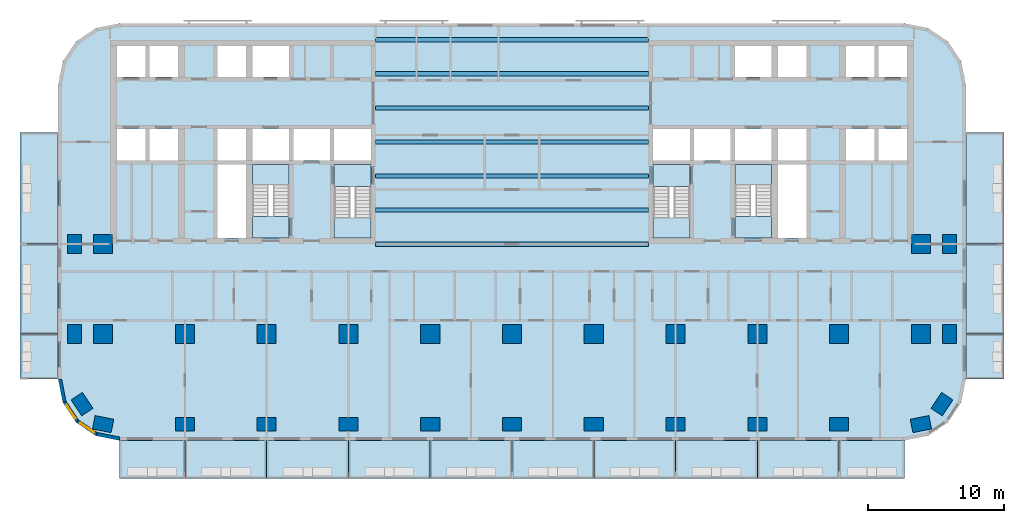
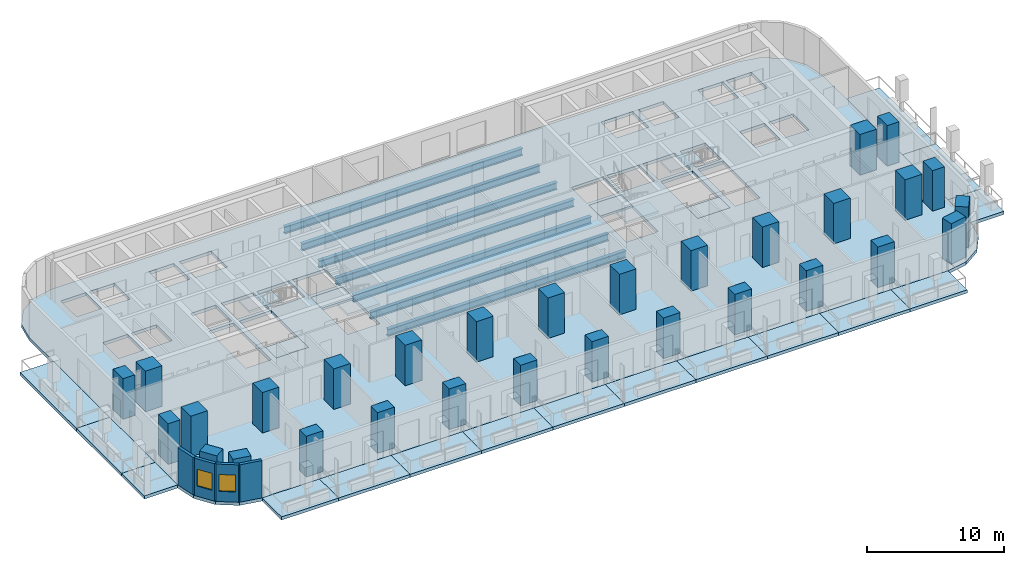
# One storey, part 1 of 15: 30 columns, 25 slabs, 7 beams, 4 walls, 2 windows, 2 openings, 4 elements without a shape of their own.
"""IFC4 building model written with IfcOpenShell, lengths in metres."""

from ifc_helpers import new_model, si_unit, direction, frame, frame_2d, origin, origin_2d, place, context, subcontext, project, spatial, polyline, rectangle, i_section, outline, extrude, material, layer, layer_set, material_profile, profile_set, type_object, element, fill, aggregate, save


model = new_model("IFC4")

# Units and contexts
model_context = context("Model", 3, precision=1e-05, world=origin(), true_north=direction((0.0, 1.0)))
body_context = subcontext(model_context, "Body", "Model", "MODEL_VIEW")
ifc_project = project(units=[si_unit("LENGTHUNIT", "METRE"), si_unit("AREAUNIT", "SQUARE_METRE"), si_unit("VOLUMEUNIT", "CUBIC_METRE"), si_unit("PLANEANGLEUNIT", "RADIAN"), si_unit("MASSUNIT", "GRAM", prefix="KILO")], contexts=[model_context])

# Site, building, storey
site_placement = place(None, origin())
site = spatial("IfcSite", under=ifc_project, at=site_placement, CompositionType="ELEMENT")
building_placement = place(site_placement, origin())
building = spatial("IfcBuilding", under=site, at=building_placement, Name="Torana Hotel and Residences", CompositionType="ELEMENT")
storey_placement = place(building_placement, frame((0.0, 0.0, 88.800048828125)))
storey = spatial("IfcBuildingStorey", under=building, at=storey_placement, Name="L22", CompositionType="ELEMENT", Elevation=88.800048828125)

# Columns
ifc_material_1 = material(Name="Concrete C70/85", Category="concrete")
ifc_material_profile_1 = material_profile(ifc_material_1, rectangle(XDim=1.39990234375, YDim=1.0, at=origin_2d()), Name="RC 1400x1000")
ifc_profile_set_1 = profile_set([ifc_material_profile_1], Name="Concrete C70/85")
column_type_1 = type_object("IfcColumnType", Name="COLUMN RC 1400x1000 C70/85", PredefinedType="COLUMN", material=ifc_profile_set_1)
for number, where, z_axis, x_axis, name in (
    (1, (-32.10009765625, -21.60009765625, 0.0), (0.0, 0.0, 1.0), (0.0, 1.0, 0.0), "Column L22"),
    (2, (-32.10009765625, -15.0, 0.0), (0.0, 0.0, 1.0), (0.0, 1.0, 0.0), "Column L22"),
    (3, (-31.5439453125, -26.73291015625, 0.0), (0.0, 0.0, 1.0), (-0.555584744817, 0.831459915646, 0.0), "Column L22"),
    (4, (-30.0, -28.199951171875, 0.0), (0.0, 0.0, 1.0), (-0.980792089743, 0.195056086032, 0.0), "Column L22"),
    (5, (-24.0, -28.199951171875, 0.0), (0.0, 0.0, 1.0), (1.0, 0.0, 0.0), "Column L22"),
    (6, (-18.0, -28.199951171875, 0.0), (0.0, 0.0, 1.0), (1.0, 0.0, 0.0), "Column L22"),
    (7, (-12.0, -28.199951171875, 0.0), (0.0, 0.0, 1.0), (1.0, 0.0, 0.0), "Column L22"),
    (8, (-6.0, -28.199951171875, 0.0), (0.0, 0.0, 1.0), (1.0, 0.0, 0.0), "Column L22"),
    (9, (0.0, -28.199951171875, 0.0), (0.0, 0.0, 1.0), (1.0, 0.0, 0.0), "Column L22"),
    (10, (6.0, -28.199951171875, 0.0), (0.0, 0.0, 1.0), (1.0, 0.0, 0.0), "Column L22"),
    (11, (12.0, -28.199951171875, 0.0), (0.0, 0.0, 1.0), (1.0, 0.0, 0.0), "Column L22"),
    (12, (18.0, -28.199951171875, 0.0), (0.0, 0.0, 1.0), (1.0, 0.0, 0.0), "Column L22"),
    (13, (24.0, -28.199951171875, 0.0), (0.0, 0.0, 1.0), (1.0, 0.0, 0.0), "Column L22"),
    (14, (30.0, -28.199951171875, 0.0), (0.0, 0.0, 1.0), (0.980792089743, 0.195056086032, 0.0), "Column L22"),
    (15, (31.5439453125, -26.73291015625, 0.0), (0.0, 0.0, 1.0), (0.555584744817, 0.831459915646, 0.0), "Column L22"),
    (16, (32.10009765625, -21.60009765625, 0.0), (0.0, 0.0, 1.0), (0.0, 1.0, 0.0), "Column L22"),
    (17, (32.10009765625, -15.0, 0.0), (0.0, 0.0, 1.0), (0.0, 1.0, 0.0), "Column L22"),
):
    element("IfcColumn", number, at=place(storey_placement, frame(where, z_axis=z_axis, x_axis=x_axis)), inside=storey, type_object=column_type_1, Name=name, PredefinedType="COLUMN", context=body_context, shape_type="SweptSolid", body=[
        extrude(rectangle(XDim=1.39990234375, YDim=1.0, at=origin_2d()), origin(), (0.0, 0.0, 1.0), 3.599853515625),
    ])
ifc_material_2 = material(Name="Concrete C70/85", Category="concrete")
ifc_material_profile_2 = material_profile(ifc_material_2, rectangle(XDim=1.39990234375, YDim=1.39990234375, at=origin_2d()), Name="RC 1400x1400")
ifc_profile_set_2 = profile_set([ifc_material_profile_2], Name="Concrete C70/85")
column_type_2 = type_object("IfcColumnType", Name="COLUMN RC 1400x1400 C70/85", PredefinedType="COLUMN", material=ifc_profile_set_2)
for number, where, z_axis, x_axis, name in (
    (18, (-30.0, -21.60009765625, 0.0), (0.0, 0.0, 1.0), (1.0, 0.0, 0.0), "Column L22"),
    (19, (-30.0, -15.0, 0.0), (0.0, 0.0, 1.0), (1.0, 0.0, 0.0), "Column L22"),
    (20, (-24.0, -21.60009765625, 0.0), (0.0, 0.0, 1.0), (1.0, 0.0, 0.0), "Column L22"),
    (21, (-18.0, -21.60009765625, 0.0), (0.0, 0.0, 1.0), (1.0, 0.0, 0.0), "Column L22"),
    (22, (-12.0, -21.60009765625, 0.0), (0.0, 0.0, 1.0), (1.0, 0.0, 0.0), "Column L22"),
    (23, (-6.0, -21.60009765625, 0.0), (0.0, 0.0, 1.0), (1.0, 0.0, 0.0), "Column L22"),
    (24, (0.0, -21.60009765625, 0.0), (0.0, 0.0, 1.0), (1.0, 0.0, 0.0), "Column L22"),
    (25, (6.0, -21.60009765625, 0.0), (0.0, 0.0, 1.0), (1.0, 0.0, 0.0), "Column L22"),
    (26, (12.0, -21.60009765625, 0.0), (0.0, 0.0, 1.0), (1.0, 0.0, 0.0), "Column L22"),
    (27, (18.0, -21.60009765625, 0.0), (0.0, 0.0, 1.0), (1.0, 0.0, 0.0), "Column L22"),
    (28, (24.0, -21.60009765625, 0.0), (0.0, 0.0, 1.0), (1.0, 0.0, 0.0), "Column L22"),
    (29, (30.0, -21.60009765625, 0.0), (0.0, 0.0, 1.0), (1.0, 0.0, 0.0), "Column L22"),
    (30, (30.0, -15.0, 0.0), (0.0, 0.0, 1.0), (1.0, 0.0, 0.0), "Column L22"),
):
    element("IfcColumn", number, at=place(storey_placement, frame(where, z_axis=z_axis, x_axis=x_axis)), inside=storey, type_object=column_type_2, Name=name, PredefinedType="COLUMN", context=body_context, shape_type="SweptSolid", body=[
        extrude(rectangle(XDim=1.39990234375, YDim=1.39990234375, at=origin_2d()), origin(), (0.0, 0.0, 1.0), 3.599853515625),
    ])

# Beams
ifc_material_3 = material(Name="Steel S355", Category="steel")
ifc_material_profile_3 = material_profile(ifc_material_3, i_section(OverallWidth=0.311279296875, OverallDepth=0.6357421875, WebThickness=0.018310546875, FlangeThickness=0.031494140625, FilletRadius=0.0166015625, at=origin_2d()), Name="610x305x238 UB")
ifc_profile_set_3 = profile_set([ifc_material_profile_3], Name="Steel S355")
beam_type = type_object("IfcBeamType", Name="STEEL GIRDER 610x305x238 UB", PredefinedType="BEAM", material=ifc_profile_set_3)
for number, where, z_axis, x_axis, name in (
    (31, (-10.0, -15.0, -0.597900390625), (1.0, 0.0, 0.0), (0.0, 1.0, 0.0), "Floor girder"),
    (32, (-10.0, -12.5, -0.597900390625), (1.0, 0.0, 0.0), (0.0, 1.0, 0.0), "Floor girder"),
    (33, (-10.0, -10.0, -0.597900390625), (1.0, 0.0, 0.0), (0.0, 1.0, 0.0), "Floor girder"),
    (34, (-10.0, -7.5, -0.597900390625), (1.0, 0.0, 0.0), (0.0, 1.0, 0.0), "Floor girder"),
    (35, (-10.0, -5.0, -0.597900390625), (1.0, 0.0, 0.0), (0.0, 1.0, 0.0), "Floor girder"),
    (36, (-10.0, -2.5, -0.597900390625), (1.0, 0.0, 0.0), (0.0, 1.0, 0.0), "Floor girder"),
    (37, (-10.0, 0.0, -0.597900390625), (1.0, 0.0, 0.0), (0.0, 1.0, 0.0), "Floor girder"),
):
    element("IfcBeam", number, at=place(storey_placement, frame(where, z_axis=z_axis, x_axis=x_axis)), inside=storey, type_object=beam_type, Name=name, PredefinedType="BEAM", context=body_context, shape_type="SweptSolid", body=[
        extrude(i_section(OverallWidth=0.311279296875, OverallDepth=0.6357421875, WebThickness=0.018310546875, FlangeThickness=0.031494140625, FilletRadius=0.0166015625, at=origin_2d()), origin(), (0.0, 0.0, 1.0), 20.0),
    ])

# Slabs
ifc_material_4 = material(Name="Concrete C40/50", Category="concrete")
ifc_layer_1 = layer(ifc_material_4, 0.280029296875)
ifc_layer_set_1 = layer_set([ifc_layer_1], Name="BAL1 BALCONY SLAB 280")
slab_type_1 = type_object("IfcSlabType", Name="BAL1 BALCONY SLAB 280", PredefinedType="USERDEFINED", material=ifc_layer_set_1)
slab_1_placement = place(storey_placement, frame((0.0, 0.0, -0.280029296875)))
element("IfcSlab", 38, at=slab_1_placement, inside=storey, type_object=slab_type_1, Name="Balcony 01", ObjectType="BALCONY", PredefinedType="USERDEFINED", context=body_context, shape_type="SweptSolid", body=[
    extrude(outline(polyline([(-28.800048828125, -32.199951171875), (-24.0, -32.199951171875), (-24.0, -29.39990234375), (-28.800048828125, -29.39990234375), (-28.800048828125, -32.199951171875)])), origin(), (0.0, 0.0, 1.0), 0.280029296875),
])
slab_2_placement = place(storey_placement, frame((0.0, 0.0, -0.280029296875)))
element("IfcSlab", 39, at=slab_2_placement, inside=storey, type_object=slab_type_1, Name="Balcony 02", ObjectType="BALCONY", PredefinedType="USERDEFINED", context=body_context, shape_type="SweptSolid", body=[
    extrude(outline(polyline([(-24.0, -32.199951171875), (-18.0, -32.199951171875), (-18.0, -29.39990234375), (-24.0, -29.39990234375), (-24.0, -32.199951171875)])), origin(), (0.0, 0.0, 1.0), 0.280029296875),
])
slab_3_placement = place(storey_placement, frame((0.0, 0.0, -0.280029296875)))
element("IfcSlab", 40, at=slab_3_placement, inside=storey, type_object=slab_type_1, Name="Balcony 03", ObjectType="BALCONY", PredefinedType="USERDEFINED", context=body_context, shape_type="SweptSolid", body=[
    extrude(outline(polyline([(-18.0, -32.199951171875), (-12.0, -32.199951171875), (-12.0, -29.39990234375), (-18.0, -29.39990234375), (-18.0, -32.199951171875)])), origin(), (0.0, 0.0, 1.0), 0.280029296875),
])
slab_4_placement = place(storey_placement, frame((0.0, 0.0, -0.280029296875)))
element("IfcSlab", 41, at=slab_4_placement, inside=storey, type_object=slab_type_1, Name="Balcony 04", ObjectType="BALCONY", PredefinedType="USERDEFINED", context=body_context, shape_type="SweptSolid", body=[
    extrude(outline(polyline([(-12.0, -32.199951171875), (-6.0, -32.199951171875), (-6.0, -29.39990234375), (-12.0, -29.39990234375), (-12.0, -32.199951171875)])), origin(), (0.0, 0.0, 1.0), 0.280029296875),
])
slab_5_placement = place(storey_placement, frame((0.0, 0.0, -0.280029296875)))
element("IfcSlab", 42, at=slab_5_placement, inside=storey, type_object=slab_type_1, Name="Balcony 05", ObjectType="BALCONY", PredefinedType="USERDEFINED", context=body_context, shape_type="SweptSolid", body=[
    extrude(outline(polyline([(-6.0, -32.199951171875), (0.0, -32.199951171875), (0.0, -29.39990234375), (-6.0, -29.39990234375), (-6.0, -32.199951171875)])), origin(), (0.0, 0.0, 1.0), 0.280029296875),
])
slab_6_placement = place(storey_placement, frame((0.0, 0.0, -0.280029296875)))
element("IfcSlab", 43, at=slab_6_placement, inside=storey, type_object=slab_type_1, Name="Balcony 06", ObjectType="BALCONY", PredefinedType="USERDEFINED", context=body_context, shape_type="SweptSolid", body=[
    extrude(outline(polyline([(0.0, -32.199951171875), (6.0, -32.199951171875), (6.0, -29.39990234375), (0.0, -29.39990234375), (0.0, -32.199951171875)])), origin(), (0.0, 0.0, 1.0), 0.280029296875),
])
slab_7_placement = place(storey_placement, frame((0.0, 0.0, -0.280029296875)))
element("IfcSlab", 44, at=slab_7_placement, inside=storey, type_object=slab_type_1, Name="Balcony 07", ObjectType="BALCONY", PredefinedType="USERDEFINED", context=body_context, shape_type="SweptSolid", body=[
    extrude(outline(polyline([(6.0, -32.199951171875), (12.0, -32.199951171875), (12.0, -29.39990234375), (6.0, -29.39990234375), (6.0, -32.199951171875)])), origin(), (0.0, 0.0, 1.0), 0.280029296875),
])
slab_8_placement = place(storey_placement, frame((0.0, 0.0, -0.280029296875)))
element("IfcSlab", 45, at=slab_8_placement, inside=storey, type_object=slab_type_1, Name="Balcony 08", ObjectType="BALCONY", PredefinedType="USERDEFINED", context=body_context, shape_type="SweptSolid", body=[
    extrude(outline(polyline([(12.0, -32.199951171875), (18.0, -32.199951171875), (18.0, -29.39990234375), (12.0, -29.39990234375), (12.0, -32.199951171875)])), origin(), (0.0, 0.0, 1.0), 0.280029296875),
])
slab_9_placement = place(storey_placement, frame((0.0, 0.0, -0.280029296875)))
element("IfcSlab", 46, at=slab_9_placement, inside=storey, type_object=slab_type_1, Name="Balcony 09", ObjectType="BALCONY", PredefinedType="USERDEFINED", context=body_context, shape_type="SweptSolid", body=[
    extrude(outline(polyline([(18.0, -32.199951171875), (24.0, -32.199951171875), (24.0, -29.39990234375), (18.0, -29.39990234375), (18.0, -32.199951171875)])), origin(), (0.0, 0.0, 1.0), 0.280029296875),
])
slab_10_placement = place(storey_placement, frame((0.0, 0.0, -0.280029296875)))
element("IfcSlab", 47, at=slab_10_placement, inside=storey, type_object=slab_type_1, Name="Balcony 10", ObjectType="BALCONY", PredefinedType="USERDEFINED", context=body_context, shape_type="SweptSolid", body=[
    extrude(outline(polyline([(24.0, -32.199951171875), (28.800048828125, -32.199951171875), (28.800048828125, -29.39990234375), (24.0, -29.39990234375), (24.0, -32.199951171875)])), origin(), (0.0, 0.0, 1.0), 0.280029296875),
])
slab_11_placement = place(storey_placement, frame((0.0, 0.0, -0.280029296875)))
element("IfcSlab", 48, at=slab_11_placement, inside=storey, type_object=slab_type_1, Name="Balcony 11", ObjectType="BALCONY", PredefinedType="USERDEFINED", context=body_context, shape_type="SweptSolid", body=[
    extrude(outline(polyline([(-36.10009765625, -24.89990234375), (-33.300048828125, -24.89990234375), (-33.300048828125, -21.60009765625), (-36.10009765625, -21.60009765625), (-36.10009765625, -24.89990234375)])), origin(), (0.0, 0.0, 1.0), 0.280029296875),
])
slab_12_placement = place(storey_placement, frame((0.0, 0.0, -0.280029296875)))
element("IfcSlab", 49, at=slab_12_placement, inside=storey, type_object=slab_type_1, Name="Balcony 12", ObjectType="BALCONY", PredefinedType="USERDEFINED", context=body_context, shape_type="SweptSolid", body=[
    extrude(outline(polyline([(-36.10009765625, -21.60009765625), (-33.300048828125, -21.60009765625), (-33.300048828125, -15.0), (-36.10009765625, -15.0), (-36.10009765625, -21.60009765625)])), origin(), (0.0, 0.0, 1.0), 0.280029296875),
])
slab_13_placement = place(storey_placement, frame((0.0, 0.0, -0.280029296875)))
element("IfcSlab", 50, at=slab_13_placement, inside=storey, type_object=slab_type_1, Name="Balcony 13", ObjectType="BALCONY", PredefinedType="USERDEFINED", context=body_context, shape_type="SweptSolid", body=[
    extrude(outline(polyline([(-36.10009765625, -15.0), (-33.300048828125, -15.0), (-33.300048828125, -6.800048828125), (-36.10009765625, -6.800048828125), (-36.10009765625, -15.0)])), origin(), (0.0, 0.0, 1.0), 0.280029296875),
])
slab_14_placement = place(storey_placement, frame((0.0, 0.0, -0.280029296875)))
element("IfcSlab", 51, at=slab_14_placement, inside=storey, type_object=slab_type_1, Name="Balcony 14", ObjectType="BALCONY", PredefinedType="USERDEFINED", context=body_context, shape_type="SweptSolid", body=[
    extrude(outline(polyline([(33.300048828125, -24.89990234375), (36.10009765625, -24.89990234375), (36.10009765625, -21.60009765625), (33.300048828125, -21.60009765625), (33.300048828125, -24.89990234375)])), origin(), (0.0, 0.0, 1.0), 0.280029296875),
])
slab_15_placement = place(storey_placement, frame((0.0, 0.0, -0.280029296875)))
element("IfcSlab", 52, at=slab_15_placement, inside=storey, type_object=slab_type_1, Name="Balcony 15", ObjectType="BALCONY", PredefinedType="USERDEFINED", context=body_context, shape_type="SweptSolid", body=[
    extrude(outline(polyline([(33.300048828125, -21.60009765625), (36.10009765625, -21.60009765625), (36.10009765625, -15.0), (33.300048828125, -15.0), (33.300048828125, -21.60009765625)])), origin(), (0.0, 0.0, 1.0), 0.280029296875),
])
slab_16_placement = place(storey_placement, frame((0.0, 0.0, -0.280029296875)))
element("IfcSlab", 53, at=slab_16_placement, inside=storey, type_object=slab_type_1, Name="Balcony 16", ObjectType="BALCONY", PredefinedType="USERDEFINED", context=body_context, shape_type="SweptSolid", body=[
    extrude(outline(polyline([(33.300048828125, -15.0), (36.10009765625, -15.0), (36.10009765625, -6.800048828125), (33.300048828125, -6.800048828125), (33.300048828125, -15.0)])), origin(), (0.0, 0.0, 1.0), 0.280029296875),
])
ifc_material_5 = material(Name="Concrete C40/50", Category="concrete")
ifc_layer_2 = layer(ifc_material_5, 0.280029296875)
ifc_layer_set_2 = layer_set([ifc_layer_2], Name="FLOOR SLAB PT 280")
slab_type_2 = type_object("IfcSlabType", Name="FLOOR SLAB PT 280", PredefinedType="FLOOR", material=ifc_layer_set_2)
slab_17_placement = place(storey_placement, frame((0.0, 0.0, -0.280029296875)))
element("IfcSlab", 54, at=slab_17_placement, inside=storey, type_object=slab_type_2, Name="Floor slab", PredefinedType="FLOOR", context=body_context, shape_type="SweptSolid", body=[
    extrude(outline(polyline([(33.300048828125, -3.300048828125), (32.95751953125, -1.577880859375), (31.98193359375, -0.117919921875), (30.522216796875, 0.857421875), (28.800048828125, 1.199951171875), (-28.800048828125, 1.199951171875), (-30.522216796875, 0.857421875), (-31.98193359375, -0.117919921875), (-32.95751953125, -1.577880859375), (-33.300048828125, -3.300048828125), (-33.300048828125, -24.89990234375), (-32.95751953125, -26.6220703125), (-31.98193359375, -28.08203125), (-30.522216796875, -29.0576171875), (-28.800048828125, -29.39990234375), (28.800048828125, -29.39990234375), (30.522216796875, -29.0576171875), (31.98193359375, -28.08203125), (32.95751953125, -26.6220703125), (33.300048828125, -24.89990234375), (33.300048828125, -3.300048828125)]), holes=[polyline([(-13.050048828125, -14.550048828125), (-10.35009765625, -14.550048828125), (-10.35009765625, -9.14990234375), (-13.050048828125, -9.14990234375), (-13.050048828125, -14.550048828125)]), polyline([(-19.050048828125, -14.550048828125), (-16.35009765625, -14.550048828125), (-16.35009765625, -9.14990234375), (-19.050048828125, -9.14990234375), (-19.050048828125, -14.550048828125)]), polyline([(-19.050048828125, -2.75), (-16.35009765625, -2.75), (-16.35009765625, -0.449951171875), (-19.050048828125, -0.449951171875), (-19.050048828125, -2.75)]), polyline([(-26.60009765625, -2.75), (-24.5, -2.75), (-24.5, -0.449951171875), (-26.60009765625, -0.449951171875), (-26.60009765625, -2.75)]), polyline([(-29.0, -2.75), (-26.89990234375, -2.75), (-26.89990234375, -0.449951171875), (-29.0, -0.449951171875), (-29.0, -2.75)]), polyline([(-26.60009765625, -8.85009765625), (-24.5, -8.85009765625), (-24.5, -6.550048828125), (-26.60009765625, -6.550048828125), (-26.60009765625, -8.85009765625)]), polyline([(-29.0, -8.85009765625), (-26.89990234375, -8.85009765625), (-26.89990234375, -6.550048828125), (-29.0, -6.550048828125), (-29.0, -8.85009765625)]), polyline([(-21.60009765625, -2.75), (-19.5, -2.75), (-19.5, -0.449951171875), (-21.60009765625, -0.449951171875), (-21.60009765625, -2.75)]), polyline([(-21.60009765625, -8.85009765625), (-19.5, -8.85009765625), (-19.5, -6.550048828125), (-21.60009765625, -6.550048828125), (-21.60009765625, -8.85009765625)]), polyline([(-13.050048828125, -8.85009765625), (-10.35009765625, -8.85009765625), (-10.35009765625, -6.550048828125), (-13.050048828125, -6.550048828125), (-13.050048828125, -8.85009765625)]), polyline([(-16.050048828125, -8.85009765625), (-13.35009765625, -8.85009765625), (-13.35009765625, -6.550048828125), (-16.050048828125, -6.550048828125), (-16.050048828125, -8.85009765625)]), polyline([(-19.050048828125, -8.85009765625), (-16.35009765625, -8.85009765625), (-16.35009765625, -6.550048828125), (-19.050048828125, -6.550048828125), (-19.050048828125, -8.85009765625)]), polyline([(-21.60009765625, -14.550048828125), (-19.5, -14.550048828125), (-19.5, -9.14990234375), (-21.60009765625, -9.14990234375), (-21.60009765625, -14.550048828125)]), polyline([(10.35009765625, -14.550048828125), (13.050048828125, -14.550048828125), (13.050048828125, -9.14990234375), (10.35009765625, -9.14990234375), (10.35009765625, -14.550048828125)]), polyline([(16.35009765625, -14.550048828125), (19.050048828125, -14.550048828125), (19.050048828125, -9.14990234375), (16.35009765625, -9.14990234375), (16.35009765625, -14.550048828125)]), polyline([(16.35009765625, -2.75), (19.050048828125, -2.75), (19.050048828125, -0.449951171875), (16.35009765625, -0.449951171875), (16.35009765625, -2.75)]), polyline([(24.5, -2.75), (26.60009765625, -2.75), (26.60009765625, -0.449951171875), (24.5, -0.449951171875), (24.5, -2.75)]), polyline([(26.89990234375, -2.75), (29.0, -2.75), (29.0, -0.449951171875), (26.89990234375, -0.449951171875), (26.89990234375, -2.75)]), polyline([(24.5, -8.85009765625), (26.60009765625, -8.85009765625), (26.60009765625, -6.550048828125), (24.5, -6.550048828125), (24.5, -8.85009765625)]), polyline([(26.89990234375, -8.85009765625), (29.0, -8.85009765625), (29.0, -6.550048828125), (26.89990234375, -6.550048828125), (26.89990234375, -8.85009765625)]), polyline([(19.5, -2.75), (21.60009765625, -2.75), (21.60009765625, -0.449951171875), (19.5, -0.449951171875), (19.5, -2.75)]), polyline([(19.5, -8.85009765625), (21.60009765625, -8.85009765625), (21.60009765625, -6.550048828125), (19.5, -6.550048828125), (19.5, -8.85009765625)]), polyline([(10.35009765625, -8.85009765625), (13.050048828125, -8.85009765625), (13.050048828125, -6.550048828125), (10.35009765625, -6.550048828125), (10.35009765625, -8.85009765625)]), polyline([(13.35009765625, -8.85009765625), (16.050048828125, -8.85009765625), (16.050048828125, -6.550048828125), (13.35009765625, -6.550048828125), (13.35009765625, -8.85009765625)]), polyline([(16.35009765625, -8.85009765625), (19.050048828125, -8.85009765625), (19.050048828125, -6.550048828125), (16.35009765625, -6.550048828125), (16.35009765625, -8.85009765625)]), polyline([(19.5, -14.550048828125), (21.60009765625, -14.550048828125), (21.60009765625, -9.14990234375), (19.5, -9.14990234375), (19.5, -14.550048828125)])]), origin(), (0.0, 0.0, 1.0), 0.280029296875),
])

# Stair, slabs
ifc_material_6 = material(Name="Concrete C40/50 precast", Category="concrete")
stair_type_1 = type_object("IfcStairType", Name="STAIR ST1 HALF TURN 1200", PredefinedType="HALF_TURN_STAIR", material=ifc_material_6)
stair_1_placement = place(storey_placement, origin())
stair_1 = element("IfcStair", 55, at=stair_1_placement, inside=storey, type_object=stair_type_1, Name="Stair ST1 L22", PredefinedType="HALF_TURN_STAIR")
ifc_material_7 = material(Name="Concrete C40/50 precast", Category="concrete")
ifc_layer_3 = layer(ifc_material_7, 0.199951171875)
ifc_layer_set_3 = layer_set([ifc_layer_3], Name="STAIR LANDING 200")
slab_type_3 = type_object("IfcSlabType", Name="STAIR LANDING 200", PredefinedType="LANDING", material=ifc_layer_set_3)
slab_18_placement = place(storey_placement, frame((0.0, 0.0, 1.599853515625)))
slab_18 = element("IfcSlab", 56, at=slab_18_placement, type_object=slab_type_3, Name="ST1 landing 1", PredefinedType="LANDING", context=body_context, shape_type="SweptSolid", body=[
    extrude(outline(polyline([(-13.050048828125, -14.550048828125), (-10.35009765625, -14.550048828125), (-10.35009765625, -13.090087890625), (-13.050048828125, -13.090087890625), (-13.050048828125, -14.550048828125)])), origin(), (0.0, 0.0, 1.0), 0.2001953125),
])
slab_19_placement = place(storey_placement, frame((0.0, 0.0, -0.199951171875)))
slab_19 = element("IfcSlab", 57, at=slab_19_placement, type_object=slab_type_3, Name="ST1 landing 2", PredefinedType="LANDING", context=body_context, shape_type="SweptSolid", body=[
    extrude(outline(polyline([(-13.050048828125, -10.75), (-10.35009765625, -10.75), (-10.35009765625, -9.14990234375), (-13.050048828125, -9.14990234375), (-13.050048828125, -10.75)])), origin(), (0.0, 0.0, 1.0), 0.199951171875),
])
aggregate(stair_1, [slab_18, slab_19])

ifc_material_8 = material(Name="Concrete C40/50 precast", Category="concrete")
stair_type_2 = type_object("IfcStairType", Name="STAIR ST2 HALF TURN 1200", PredefinedType="HALF_TURN_STAIR", material=ifc_material_8)
stair_2_placement = place(storey_placement, origin())
stair_2 = element("IfcStair", 58, at=stair_2_placement, inside=storey, type_object=stair_type_2, Name="Stair ST2 L22", PredefinedType="HALF_TURN_STAIR")
slab_20_placement = place(storey_placement, frame((0.0, 0.0, 1.599853515625)))
slab_20 = element("IfcSlab", 59, at=slab_20_placement, type_object=slab_type_3, Name="ST2 landing 1", PredefinedType="LANDING", context=body_context, shape_type="SweptSolid", body=[
    extrude(outline(polyline([(-19.050048828125, -10.610107421875), (-16.35009765625, -10.610107421875), (-16.35009765625, -9.14990234375), (-19.050048828125, -9.14990234375), (-19.050048828125, -10.610107421875)])), origin(), (0.0, 0.0, 1.0), 0.2001953125),
])
slab_21_placement = place(storey_placement, frame((0.0, 0.0, -0.199951171875)))
slab_21 = element("IfcSlab", 60, at=slab_21_placement, type_object=slab_type_3, Name="ST2 landing 2", PredefinedType="LANDING", context=body_context, shape_type="SweptSolid", body=[
    extrude(outline(polyline([(-19.050048828125, -14.550048828125), (-16.35009765625, -14.550048828125), (-16.35009765625, -12.949951171875), (-19.050048828125, -12.949951171875), (-19.050048828125, -14.550048828125)])), origin(), (0.0, 0.0, 1.0), 0.199951171875),
])
aggregate(stair_2, [slab_20, slab_21])

ifc_material_9 = material(Name="Concrete C40/50 precast", Category="concrete")
stair_type_3 = type_object("IfcStairType", Name="STAIR ST3 HALF TURN 1200", PredefinedType="HALF_TURN_STAIR", material=ifc_material_9)
stair_3_placement = place(storey_placement, origin())
stair_3 = element("IfcStair", 61, at=stair_3_placement, inside=storey, type_object=stair_type_3, Name="Stair ST3 L22", PredefinedType="HALF_TURN_STAIR")
slab_22_placement = place(storey_placement, frame((0.0, 0.0, 1.599853515625)))
slab_22 = element("IfcSlab", 62, at=slab_22_placement, type_object=slab_type_3, Name="ST3 landing 1", PredefinedType="LANDING", context=body_context, shape_type="SweptSolid", body=[
    extrude(outline(polyline([(10.35009765625, -14.550048828125), (13.050048828125, -14.550048828125), (13.050048828125, -13.090087890625), (10.35009765625, -13.090087890625), (10.35009765625, -14.550048828125)])), origin(), (0.0, 0.0, 1.0), 0.2001953125),
])
slab_23_placement = place(storey_placement, frame((0.0, 0.0, -0.199951171875)))
slab_23 = element("IfcSlab", 63, at=slab_23_placement, type_object=slab_type_3, Name="ST3 landing 2", PredefinedType="LANDING", context=body_context, shape_type="SweptSolid", body=[
    extrude(outline(polyline([(10.35009765625, -10.75), (13.050048828125, -10.75), (13.050048828125, -9.14990234375), (10.35009765625, -9.14990234375), (10.35009765625, -10.75)])), origin(), (0.0, 0.0, 1.0), 0.199951171875),
])
aggregate(stair_3, [slab_22, slab_23])

ifc_material_10 = material(Name="Concrete C40/50 precast", Category="concrete")
stair_type_4 = type_object("IfcStairType", Name="STAIR ST4 HALF TURN 1200", PredefinedType="HALF_TURN_STAIR", material=ifc_material_10)
stair_4_placement = place(storey_placement, origin())
stair_4 = element("IfcStair", 64, at=stair_4_placement, inside=storey, type_object=stair_type_4, Name="Stair ST4 L22", PredefinedType="HALF_TURN_STAIR")
slab_24_placement = place(storey_placement, frame((0.0, 0.0, 1.599853515625)))
slab_24 = element("IfcSlab", 65, at=slab_24_placement, type_object=slab_type_3, Name="ST4 landing 1", PredefinedType="LANDING", context=body_context, shape_type="SweptSolid", body=[
    extrude(outline(polyline([(16.35009765625, -10.610107421875), (19.050048828125, -10.610107421875), (19.050048828125, -9.14990234375), (16.35009765625, -9.14990234375), (16.35009765625, -10.610107421875)])), origin(), (0.0, 0.0, 1.0), 0.2001953125),
])
slab_25_placement = place(storey_placement, frame((0.0, 0.0, -0.199951171875)))
slab_25 = element("IfcSlab", 66, at=slab_25_placement, type_object=slab_type_3, Name="ST4 landing 2", PredefinedType="LANDING", context=body_context, shape_type="SweptSolid", body=[
    extrude(outline(polyline([(16.35009765625, -14.550048828125), (19.050048828125, -14.550048828125), (19.050048828125, -12.949951171875), (16.35009765625, -12.949951171875), (16.35009765625, -14.550048828125)])), origin(), (0.0, 0.0, 1.0), 0.199951171875),
])
aggregate(stair_4, [slab_24, slab_25])

# Wall
ifc_material_11 = material(Name="Black aluminium composite panel", Category="aluminium")
ifc_layer_4 = layer(ifc_material_11, 0.00390625, Name="Cladding", Category="cladding")
ifc_material_12 = material(Name="Ventilated air cavity")
ifc_layer_5 = layer(ifc_material_12, 0.0400390625, Name="Ventilated cavity", Category="cavity")
ifc_material_13 = material(Name="Mineral wool insulation")
ifc_layer_6 = layer(ifc_material_13, 0.090087890625, Name="Insulation", Category="insulation")
ifc_material_14 = material(Name="Steel S280GD", Category="steel")
ifc_layer_7 = layer(ifc_material_14, 0.092041015625, Name="Steel stud frame", Category="structure")
ifc_material_15 = material(Name="Fire rated plasterboard")
ifc_layer_8 = layer(ifc_material_15, 0.011962890625, Name="Inner board", Category="finish")
ifc_layer_9 = layer(ifc_material_15, 0.011962890625, Name="Second board", Category="finish")
ifc_layer_set_4 = layer_set([ifc_layer_4, ifc_layer_5, ifc_layer_6, ifc_layer_7, ifc_layer_8, ifc_layer_9], Name="EW1 EXTERNAL WALL BLACK METAL CLAD 250")
wall_type = type_object("IfcWallType", Name="EW1 EXTERNAL WALL BLACK METAL CLAD 250", PredefinedType="SOLIDWALL", material=ifc_layer_set_4)
wall_1_placement = place(storey_placement, frame((-33.172607421875, -24.89990234375, 0.0), z_axis=(0.0, 0.0, 1.0), x_axis=(0.195166572128, -0.980770110232, 0.0)))
element("IfcWall", 67, at=wall_1_placement, inside=storey, type_object=wall_type, Name="External wall L22 e0.10", PredefinedType="SOLIDWALL", context=body_context, shape_type="SweptSolid", body=[
    extrude(rectangle(XDim=1.68115234375, YDim=0.25, at=frame_2d((0.840576171875, 0.0))), origin(), (0.0, 0.0, 1.0), 3.320068359375),
])

# Wall, opening, window
wall_2_placement = place(storey_placement, frame((-32.825927734375, -26.593994140625, 0.0), z_axis=(0.0, 0.0, 1.0), x_axis=(0.55555029066, -0.831482937015, 0.0)))
wall_2 = element("IfcWall", 68, at=wall_2_placement, inside=storey, type_object=wall_type, Name="External wall L22 e0.11", PredefinedType="SOLIDWALL", context=body_context, shape_type="SweptSolid", body=[
    extrude(rectangle(XDim=1.65625, YDim=0.25, at=frame_2d((0.828125, 0.0))), origin(), (0.0, 0.0, 1.0), 3.320068359375),
])
opening_1_placement = place(wall_2_placement, frame((0.228271484375, 0.0, 0.89990234375)))
opening_1 = element("IfcOpeningElement", 69, at=opening_1_placement, cuts=wall_2, Name="Opening W5", PredefinedType="OPENING", context=body_context, shape_type="SweptSolid", body=[
    extrude(rectangle(XDim=1.199951171875, YDim=1.5, at=frame_2d((0.60009765625, 0.75))), frame((0.0, 0.135009765625, 0.0), z_axis=(0.0, -1.0, 0.0), x_axis=(1.0, 0.0, 0.0)), (0.0, 0.0, 1.0), 0.27001953125),
])
ifc_material_16 = material(Name="Dark glass in black aluminium frame", Category="aluminium")
window_type = type_object("IfcWindowType", Name="W5 CORNER FACET WINDOW 1200x1500", PartitioningType="SINGLE_PANEL", PredefinedType="WINDOW", material=ifc_material_16)
window_1_placement = place(opening_1_placement, origin())
window_1 = element("IfcWindow", 70, at=window_1_placement, inside=storey, type_object=window_type, Name="Window L22 e0.11", OverallHeight=1.5, OverallWidth=1.199951171875, PartitioningType="SINGLE_PANEL", PredefinedType="WINDOW", context=body_context, shape_type="SweptSolid", body=[
    extrude(rectangle(XDim=1.199951171875, YDim=1.5, at=frame_2d((0.60009765625, 0.75))), frame((0.0, 0.030029296875, 0.0), z_axis=(0.0, -1.0, 0.0), x_axis=(1.0, 0.0, 0.0)), (0.0, 0.0, 1.0), 0.06005859375),
])
fill(opening_1, window_1)

wall_3_placement = place(storey_placement, frame((-31.87109375, -28.005615234375, 0.0), z_axis=(0.0, 0.0, 1.0), x_axis=(0.831482937015, -0.55555029066, 0.0)))
wall_3 = element("IfcWall", 71, at=wall_3_placement, inside=storey, type_object=wall_type, Name="External wall L22 e0.12", PredefinedType="SOLIDWALL", context=body_context, shape_type="SweptSolid", body=[
    extrude(rectangle(XDim=1.65625, YDim=0.25, at=frame_2d((0.828125, 0.0))), origin(), (0.0, 0.0, 1.0), 3.320068359375),
])
opening_2_placement = place(wall_3_placement, frame((0.228271484375, 0.0, 0.89990234375)))
opening_2 = element("IfcOpeningElement", 72, at=opening_2_placement, cuts=wall_3, Name="Opening W5", PredefinedType="OPENING", context=body_context, shape_type="SweptSolid", body=[
    extrude(rectangle(XDim=1.199951171875, YDim=1.5, at=frame_2d((0.60009765625, 0.75))), frame((0.0, 0.135009765625, 0.0), z_axis=(0.0, -1.0, 0.0), x_axis=(1.0, 0.0, 0.0)), (0.0, 0.0, 1.0), 0.27001953125),
])
window_2_placement = place(opening_2_placement, origin())
window_2 = element("IfcWindow", 73, at=window_2_placement, inside=storey, type_object=window_type, Name="Window L22 e0.12", OverallHeight=1.5, OverallWidth=1.199951171875, PartitioningType="SINGLE_PANEL", PredefinedType="WINDOW", context=body_context, shape_type="SweptSolid", body=[
    extrude(rectangle(XDim=1.199951171875, YDim=1.5, at=frame_2d((0.60009765625, 0.75))), frame((0.0, 0.030029296875, 0.0), z_axis=(0.0, -1.0, 0.0), x_axis=(1.0, 0.0, 0.0)), (0.0, 0.0, 1.0), 0.06005859375),
])
fill(opening_2, window_2)

# Wall
wall_4_placement = place(storey_placement, frame((-30.448974609375, -28.944580078125, 0.0), z_axis=(0.0, 0.0, 1.0), x_axis=(0.980775640221, -0.19513878023, 0.0)))
element("IfcWall", 74, at=wall_4_placement, inside=storey, type_object=wall_type, Name="External wall L22 e0.13", PredefinedType="SOLIDWALL", context=body_context, shape_type="SweptSolid", body=[
    extrude(rectangle(XDim=1.681396484375, YDim=0.25, at=frame_2d((0.8408203125, 0.0))), origin(), (0.0, 0.0, 1.0), 3.320068359375),
])

save(model, "model.ifc")
